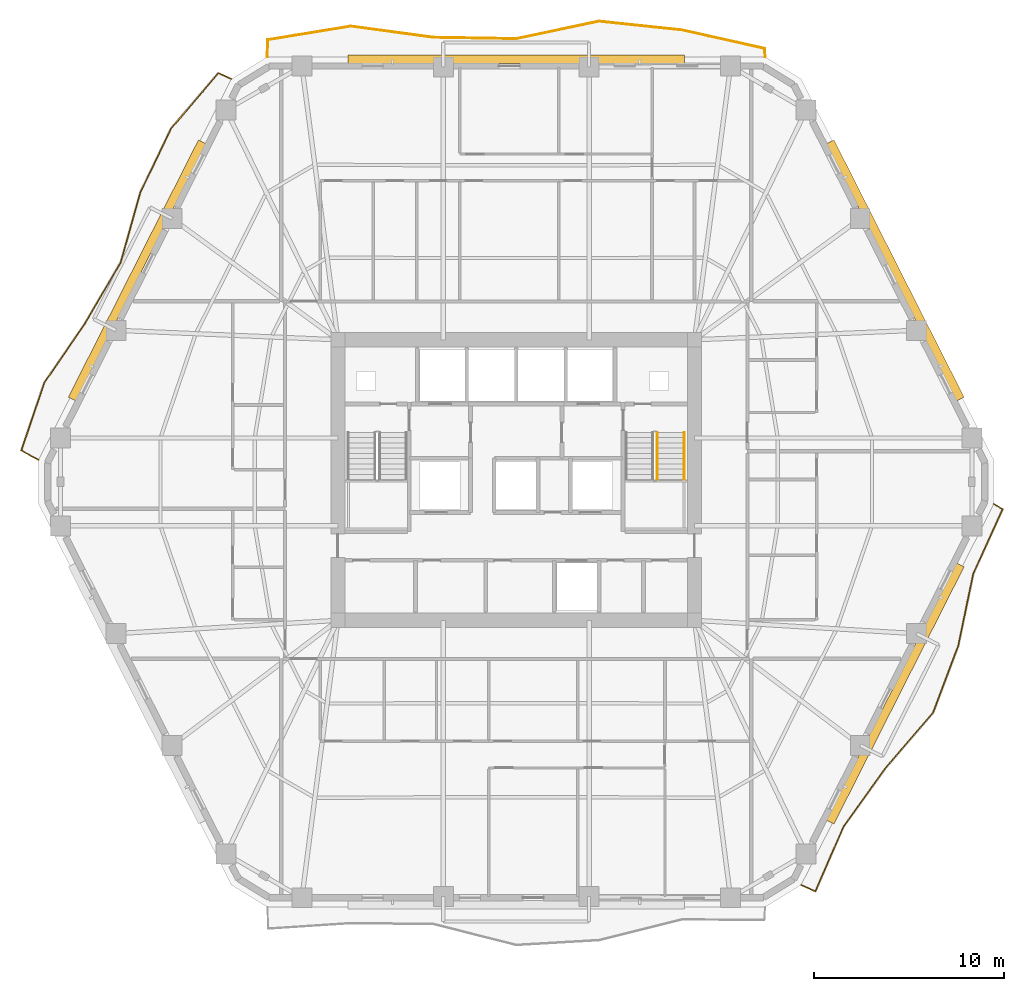
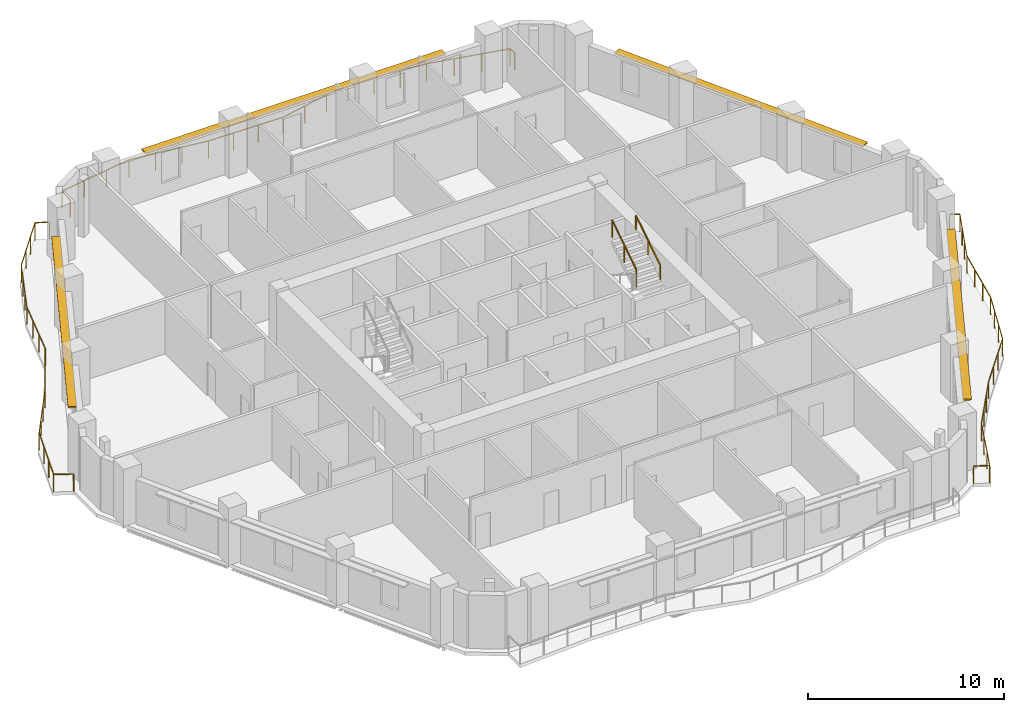
# One storey, part 12 of 12: 5 railings, 4 shading devices.
"""IFC4 building model written with IfcOpenShell, lengths in metres."""

from ifc_helpers import new_model, si_unit, direction, frame, origin, origin_2d, place, context, subcontext, project, spatial, rectangle, extrude, material, layer, layer_set, type_object, element, save


model = new_model("IFC4")

# Units and contexts
model_context = context("Model", 3, precision=1e-05, world=origin(), true_north=direction((0.0, 1.0)))
body_context = subcontext(model_context, "Body", "Model", "MODEL_VIEW")
ifc_project = project(units=[si_unit("LENGTHUNIT", "METRE"), si_unit("AREAUNIT", "SQUARE_METRE"), si_unit("VOLUMEUNIT", "CUBIC_METRE"), si_unit("PLANEANGLEUNIT", "RADIAN"), si_unit("MASSUNIT", "GRAM", prefix="KILO")], contexts=[model_context])

# Site, building, storey
site_placement = place(None, origin())
site = spatial("IfcSite", under=ifc_project, at=site_placement, CompositionType="ELEMENT")
building_placement = place(site_placement, origin())
building = spatial("IfcBuilding", under=site, at=building_placement, Name="Cinnabar Lancet Tower", CompositionType="ELEMENT")
storey_placement = place(building_placement, frame((0.0, 0.0, 141.0)))
storey = spatial("IfcBuildingStorey", under=building, at=storey_placement, Name="L37", CompositionType="ELEMENT", Elevation=141.0)

# Railings
ifc_material_1 = material(Name="Laminated safety glass and bronze stainless steel balustrade", Category="steel")
railing_type_1 = type_object("IfcRailingType", Name="ENV-RLG-BAL-1100", PredefinedType="BALUSTRADE", material=ifc_material_1)
railing_1_placement = place(storey_placement, frame((47.37890625, 4.610107421875, 0.0)))
element("IfcRailing", 1, at=railing_1_placement, inside=storey, type_object=railing_type_1, Name="L37 Face 2 Wave Balcony Balustrade", PredefinedType="BALUSTRADE", context=body_context, shape_type="SweptSolid", body=[
    extrude(rectangle(XDim=0.048095703125, YDim=0.048095703125, at=origin_2d()), frame((0.0, 0.0, 1.076171875), z_axis=(0.909195732356, -0.416368971304, 0.0), x_axis=(0.416368971304, 0.909195732356, 0.0)), (0.0, 0.0, 1.0), 0.82373046875),
    extrude(rectangle(XDim=0.048095703125, YDim=0.048095703125, at=origin_2d()), frame((0.7490234375, -0.343017578125, 1.076171875), z_axis=(0.398437237154, 0.917195599667, 0.0), x_axis=(-0.917195599667, 0.398437237154, 0.0)), (0.0, 0.0, 1.0), 3.739501953125),
    extrude(rectangle(XDim=0.048095703125, YDim=0.048095703125, at=origin_2d()), frame((2.239013671875, 3.0869140625, 1.076171875), z_axis=(0.582577341118, 0.812775271287, 0.0), x_axis=(-0.812775271287, 0.582577341118, 0.0)), (0.0, 0.0, 1.0), 3.774658203125),
    extrude(rectangle(XDim=0.048095703125, YDim=0.048095703125, at=origin_2d()), frame((4.43798828125, 6.15478515625, 1.076171875), z_axis=(0.651894635251, 0.758309557193, 0.0), x_axis=(-0.758309557193, 0.651894635251, 0.0)), (0.0, 0.0, 1.0), 3.8427734375),
    extrude(rectangle(XDim=0.048095703125, YDim=0.048095703125, at=origin_2d()), frame((6.943115234375, 9.06884765625, 1.076171875), z_axis=(0.351757879918, 0.936091017965, 0.0), x_axis=(-0.936091017965, 0.351757879918, 0.0)), (0.0, 0.0, 1.0), 3.752685546875),
    extrude(rectangle(XDim=0.048095703125, YDim=0.048095703125, at=origin_2d()), frame((8.26318359375, 12.581787109375, 1.076171875), z_axis=(0.203681692425, 0.979037163835, 0.0), x_axis=(-0.979037163835, 0.203681692425, 0.0)), (0.0, 0.0, 1.0), 3.86328125),
    extrude(rectangle(XDim=0.048095703125, YDim=0.048095703125, at=origin_2d()), frame((9.050048828125, 16.364013671875, 1.076171875), z_axis=(0.414398635472, 0.910095473519, 0.0), x_axis=(-0.910095473519, 0.414398635472, 0.0)), (0.0, 0.0, 1.0), 3.73583984375),
    extrude(rectangle(XDim=0.048095703125, YDim=0.048095703125, at=origin_2d()), frame((10.59814453125, 19.763916015625, 1.076171875), z_axis=(-0.86770894595, 0.497072615539, 0.0), x_axis=(-0.497072615539, -0.86770894595, 0.0)), (0.0, 0.0, 1.0), 0.534912109375),
    extrude(rectangle(XDim=0.0419921875, YDim=0.0419921875, at=origin_2d()), origin(), (0.0, 0.0, 1.0), 1.052001953125),
    extrude(rectangle(XDim=0.0419921875, YDim=0.0419921875, at=origin_2d()), frame((0.7490234375, -0.343017578125, 0.0)), (0.0, 0.0, 1.0), 1.052001953125),
    extrude(rectangle(XDim=0.0419921875, YDim=0.0419921875, at=origin_2d()), frame((1.24560546875, 0.80029296875, 0.0)), (0.0, 0.0, 1.0), 1.052001953125),
    extrude(rectangle(XDim=0.0419921875, YDim=0.0419921875, at=origin_2d()), frame((1.742431640625, 1.943603515625, 0.0)), (0.0, 0.0, 1.0), 1.052001953125),
    extrude(rectangle(XDim=0.0419921875, YDim=0.0419921875, at=origin_2d()), frame((2.239013671875, 3.0869140625, 0.0)), (0.0, 0.0, 1.0), 1.052001953125),
    extrude(rectangle(XDim=0.0419921875, YDim=0.0419921875, at=origin_2d()), frame((2.971923828125, 4.109619140625, 0.0)), (0.0, 0.0, 1.0), 1.052001953125),
    extrude(rectangle(XDim=0.0419921875, YDim=0.0419921875, at=origin_2d()), frame((3.705078125, 5.132080078125, 0.0)), (0.0, 0.0, 1.0), 1.052001953125),
    extrude(rectangle(XDim=0.0419921875, YDim=0.0419921875, at=origin_2d()), frame((4.43798828125, 6.15478515625, 0.0)), (0.0, 0.0, 1.0), 1.052001953125),
    extrude(rectangle(XDim=0.0419921875, YDim=0.0419921875, at=origin_2d()), frame((5.27294921875, 7.126220703125, 0.0)), (0.0, 0.0, 1.0), 1.052001953125),
    extrude(rectangle(XDim=0.0419921875, YDim=0.0419921875, at=origin_2d()), frame((6.108154296875, 8.097412109375, 0.0)), (0.0, 0.0, 1.0), 1.052001953125),
    extrude(rectangle(XDim=0.0419921875, YDim=0.0419921875, at=origin_2d()), frame((6.943115234375, 9.06884765625, 0.0)), (0.0, 0.0, 1.0), 1.052001953125),
    extrude(rectangle(XDim=0.0419921875, YDim=0.0419921875, at=origin_2d()), frame((7.383056640625, 10.23974609375, 0.0)), (0.0, 0.0, 1.0), 1.052001953125),
    extrude(rectangle(XDim=0.0419921875, YDim=0.0419921875, at=origin_2d()), frame((7.8232421875, 11.410888671875, 0.0)), (0.0, 0.0, 1.0), 1.052001953125),
    extrude(rectangle(XDim=0.0419921875, YDim=0.0419921875, at=origin_2d()), frame((8.26318359375, 12.581787109375, 0.0)), (0.0, 0.0, 1.0), 1.052001953125),
    extrude(rectangle(XDim=0.0419921875, YDim=0.0419921875, at=origin_2d()), frame((8.525390625, 13.842529296875, 0.0)), (0.0, 0.0, 1.0), 1.052001953125),
    extrude(rectangle(XDim=0.0419921875, YDim=0.0419921875, at=origin_2d()), frame((8.787841796875, 15.103271484375, 0.0)), (0.0, 0.0, 1.0), 1.052001953125),
    extrude(rectangle(XDim=0.0419921875, YDim=0.0419921875, at=origin_2d()), frame((9.050048828125, 16.364013671875, 0.0)), (0.0, 0.0, 1.0), 1.052001953125),
    extrude(rectangle(XDim=0.0419921875, YDim=0.0419921875, at=origin_2d()), frame((9.566162109375, 17.497314453125, 0.0)), (0.0, 0.0, 1.0), 1.052001953125),
    extrude(rectangle(XDim=0.0419921875, YDim=0.0419921875, at=origin_2d()), frame((10.08203125, 18.630615234375, 0.0)), (0.0, 0.0, 1.0), 1.052001953125),
    extrude(rectangle(XDim=0.0419921875, YDim=0.0419921875, at=origin_2d()), frame((10.59814453125, 19.763916015625, 0.0)), (0.0, 0.0, 1.0), 1.052001953125),
    extrude(rectangle(XDim=0.0419921875, YDim=0.0419921875, at=origin_2d()), frame((10.134033203125, 20.02978515625, 0.0)), (0.0, 0.0, 1.0), 1.052001953125),
])
railing_2_placement = place(storey_placement, frame((45.491943359375, 48.14990234375, 0.0)))
element("IfcRailing", 2, at=railing_2_placement, inside=storey, type_object=railing_type_1, Name="L37 Face 4 Wave Balcony Balustrade", PredefinedType="BALUSTRADE", context=body_context, shape_type="SweptSolid", body=[
    extrude(rectangle(XDim=0.048095703125, YDim=0.048095703125, at=origin_2d()), frame((0.0, 0.0, 1.076171875), z_axis=(-0.079238666651, 0.996855673459, 0.0), x_axis=(-0.996855673459, -0.079238666651, 0.0)), (0.0, 0.0, 1.0), 0.440673828125),
    extrude(rectangle(XDim=0.048095703125, YDim=0.048095703125, at=origin_2d()), frame((-0.034912109375, 0.439208984375, 1.076171875), z_axis=(-0.975968906895, 0.217909827165, 0.0), x_axis=(-0.217909827165, -0.975968906895, 0.0)), (0.0, 0.0, 1.0), 4.460205078125),
    extrude(rectangle(XDim=0.048095703125, YDim=0.048095703125, at=origin_2d()), frame((-4.387939453125, 1.4111328125, 1.076171875), z_axis=(-0.994484646392, 0.10488225823, 0.0), x_axis=(-0.10488225823, -0.994484646392, 0.0)), (0.0, 0.0, 1.0), 4.376220703125),
    extrude(rectangle(XDim=0.048095703125, YDim=0.048095703125, at=origin_2d()), frame((-8.739990234375, 1.8701171875, 1.076171875), z_axis=(-0.978470507884, -0.206386688525, 0.0), x_axis=(0.206386688525, -0.978470507884, 0.0)), (0.0, 0.0, 1.0), 4.44775390625),
    extrude(rectangle(XDim=0.048095703125, YDim=0.048095703125, at=origin_2d()), frame((-13.092041015625, 0.9521484375, 1.076171875), z_axis=(-0.999870346218, 0.01610250768, 0.0), x_axis=(-0.01610250768, -0.999870346218, 0.0)), (0.0, 0.0, 1.0), 4.351318359375),
    extrude(rectangle(XDim=0.048095703125, YDim=0.048095703125, at=origin_2d()), frame((-17.44287109375, 1.022216796875, 1.076171875), z_axis=(-0.991003192473, 0.133838232612, 0.0), x_axis=(-0.133838232612, -0.991003192473, 0.0)), (0.0, 0.0, 1.0), 4.392578125),
    extrude(rectangle(XDim=0.048095703125, YDim=0.048095703125, at=origin_2d()), frame((-21.7958984375, 1.610107421875, 1.076171875), z_axis=(-0.986779980264, -0.162065636548, 0.0), x_axis=(0.162065636548, -0.986779980264, 0.0)), (0.0, 0.0, 1.0), 4.412353515625),
    extrude(rectangle(XDim=0.048095703125, YDim=0.048095703125, at=origin_2d()), frame((-26.14990234375, 0.89501953125, 1.076171875), z_axis=(-0.037888759651, -0.999281963158, 0.0), x_axis=(0.999281963158, -0.037888759651, 0.0)), (0.0, 0.0, 1.0), 0.895751953125),
    extrude(rectangle(XDim=0.0419921875, YDim=0.0419921875, at=origin_2d()), origin(), (0.0, 0.0, 1.0), 1.052001953125),
    extrude(rectangle(XDim=0.0419921875, YDim=0.0419921875, at=origin_2d()), frame((-0.034912109375, 0.439208984375, 0.0)), (0.0, 0.0, 1.0), 1.052001953125),
    extrude(rectangle(XDim=0.0419921875, YDim=0.0419921875, at=origin_2d()), frame((-1.48583984375, 0.76318359375, 0.0)), (0.0, 0.0, 1.0), 1.052001953125),
    extrude(rectangle(XDim=0.0419921875, YDim=0.0419921875, at=origin_2d()), frame((-2.93701171875, 1.087158203125, 0.0)), (0.0, 0.0, 1.0), 1.052001953125),
    extrude(rectangle(XDim=0.0419921875, YDim=0.0419921875, at=origin_2d()), frame((-4.387939453125, 1.4111328125, 0.0)), (0.0, 0.0, 1.0), 1.052001953125),
    extrude(rectangle(XDim=0.0419921875, YDim=0.0419921875, at=origin_2d()), frame((-5.838623046875, 1.564208984375, 0.0)), (0.0, 0.0, 1.0), 1.052001953125),
    extrude(rectangle(XDim=0.0419921875, YDim=0.0419921875, at=origin_2d()), frame((-7.289306640625, 1.717041015625, 0.0)), (0.0, 0.0, 1.0), 1.052001953125),
    extrude(rectangle(XDim=0.0419921875, YDim=0.0419921875, at=origin_2d()), frame((-8.739990234375, 1.8701171875, 0.0)), (0.0, 0.0, 1.0), 1.052001953125),
    extrude(rectangle(XDim=0.0419921875, YDim=0.0419921875, at=origin_2d()), frame((-10.190673828125, 1.564208984375, 0.0)), (0.0, 0.0, 1.0), 1.052001953125),
    extrude(rectangle(XDim=0.0419921875, YDim=0.0419921875, at=origin_2d()), frame((-11.641357421875, 1.258056640625, 0.0)), (0.0, 0.0, 1.0), 1.052001953125),
    extrude(rectangle(XDim=0.0419921875, YDim=0.0419921875, at=origin_2d()), frame((-13.092041015625, 0.9521484375, 0.0)), (0.0, 0.0, 1.0), 1.052001953125),
    extrude(rectangle(XDim=0.0419921875, YDim=0.0419921875, at=origin_2d()), frame((-14.542236328125, 0.9755859375, 0.0)), (0.0, 0.0, 1.0), 1.052001953125),
    extrude(rectangle(XDim=0.0419921875, YDim=0.0419921875, at=origin_2d()), frame((-15.99267578125, 0.998779296875, 0.0)), (0.0, 0.0, 1.0), 1.052001953125),
    extrude(rectangle(XDim=0.0419921875, YDim=0.0419921875, at=origin_2d()), frame((-17.44287109375, 1.022216796875, 0.0)), (0.0, 0.0, 1.0), 1.052001953125),
    extrude(rectangle(XDim=0.0419921875, YDim=0.0419921875, at=origin_2d()), frame((-18.893798828125, 1.21826171875, 0.0)), (0.0, 0.0, 1.0), 1.052001953125),
    extrude(rectangle(XDim=0.0419921875, YDim=0.0419921875, at=origin_2d()), frame((-20.344970703125, 1.4140625, 0.0)), (0.0, 0.0, 1.0), 1.052001953125),
    extrude(rectangle(XDim=0.0419921875, YDim=0.0419921875, at=origin_2d()), frame((-21.7958984375, 1.610107421875, 0.0)), (0.0, 0.0, 1.0), 1.052001953125),
    extrude(rectangle(XDim=0.0419921875, YDim=0.0419921875, at=origin_2d()), frame((-23.247314453125, 1.371826171875, 0.0)), (0.0, 0.0, 1.0), 1.052001953125),
    extrude(rectangle(XDim=0.0419921875, YDim=0.0419921875, at=origin_2d()), frame((-24.698486328125, 1.13330078125, 0.0)), (0.0, 0.0, 1.0), 1.052001953125),
    extrude(rectangle(XDim=0.0419921875, YDim=0.0419921875, at=origin_2d()), frame((-26.14990234375, 0.89501953125, 0.0)), (0.0, 0.0, 1.0), 1.052001953125),
    extrude(rectangle(XDim=0.0419921875, YDim=0.0419921875, at=origin_2d()), frame((-26.183837890625, 0.0, 0.0)), (0.0, 0.0, 1.0), 1.052001953125),
])
railing_3_placement = place(storey_placement, frame((17.4208984375, 46.989990234375, 0.0)))
element("IfcRailing", 3, at=railing_3_placement, inside=storey, type_object=railing_type_1, Name="L37 Face 5 Wave Balcony Balustrade", PredefinedType="BALUSTRADE", context=body_context, shape_type="SweptSolid", body=[
    extrude(rectangle(XDim=0.048095703125, YDim=0.048095703125, at=origin_2d()), frame((0.0, 0.0, 1.076171875), z_axis=(-0.911116710609, 0.412148443706, 0.0), x_axis=(-0.412148443706, -0.911116710609, 0.0)), (0.0, 0.0, 1.0), 0.7451171875),
    extrude(rectangle(XDim=0.048095703125, YDim=0.048095703125, at=origin_2d()), frame((-0.678955078125, 0.30712890625, 1.076171875), z_axis=(-0.648856734632, -0.760910597851, 0.0), x_axis=(0.760910597851, -0.648856734632, 0.0)), (0.0, 0.0, 1.0), 3.839111328125),
    extrude(rectangle(XDim=0.048095703125, YDim=0.048095703125, at=origin_2d()), frame((-3.169921875, -2.614013671875, 1.076171875), z_axis=(-0.433426218721, -0.901189055041, 0.0), x_axis=(0.901189055041, -0.433426218721, 0.0)), (0.0, 0.0, 1.0), 3.73291015625),
    extrude(rectangle(XDim=0.048095703125, YDim=0.048095703125, at=origin_2d()), frame((-4.787841796875, -5.97802734375, 1.076171875), z_axis=(-0.270063253888, -0.962842582616, 0.0), x_axis=(0.962842582616, -0.270063253888, 0.0)), (0.0, 0.0, 1.0), 3.80322265625),
    extrude(rectangle(XDim=0.048095703125, YDim=0.048095703125, at=origin_2d()), frame((-5.81494140625, -9.639892578125, 1.076171875), z_axis=(-0.503992904391, -0.863707793367, 0.0), x_axis=(0.863707793367, -0.503992904391, 0.0)), (0.0, 0.0, 1.0), 3.736328125),
    extrude(rectangle(XDim=0.048095703125, YDim=0.048095703125, at=origin_2d()), frame((-7.697998046875, -12.866943359375, 1.076171875), z_axis=(-0.566259076884, -0.824227309573, 0.0), x_axis=(0.824227309573, -0.566259076884, 0.0)), (0.0, 0.0, 1.0), 3.764892578125),
    extrude(rectangle(XDim=0.048095703125, YDim=0.048095703125, at=origin_2d()), frame((-9.829833984375, -15.969970703125, 1.076171875), z_axis=(-0.321274566624, -0.946986089043, 0.0), x_axis=(0.946986089043, -0.321274566624, 0.0)), (0.0, 0.0, 1.0), 3.77001953125),
    extrude(rectangle(XDim=0.048095703125, YDim=0.048095703125, at=origin_2d()), frame((-11.041015625, -19.5400390625, 1.076171875), z_axis=(0.87986975738, -0.475214909328, 0.0), x_axis=(0.475214909328, 0.87986975738, 0.0)), (0.0, 0.0, 1.0), 1.031005859375),
    extrude(rectangle(XDim=0.0419921875, YDim=0.0419921875, at=origin_2d()), origin(), (0.0, 0.0, 1.0), 1.052001953125),
    extrude(rectangle(XDim=0.0419921875, YDim=0.0419921875, at=origin_2d()), frame((-0.678955078125, 0.30712890625, 0.0)), (0.0, 0.0, 1.0), 1.052001953125),
    extrude(rectangle(XDim=0.0419921875, YDim=0.0419921875, at=origin_2d()), frame((-1.50927734375, -0.66650390625, 0.0)), (0.0, 0.0, 1.0), 1.052001953125),
    extrude(rectangle(XDim=0.0419921875, YDim=0.0419921875, at=origin_2d()), frame((-2.339599609375, -1.640380859375, 0.0)), (0.0, 0.0, 1.0), 1.052001953125),
    extrude(rectangle(XDim=0.0419921875, YDim=0.0419921875, at=origin_2d()), frame((-3.169921875, -2.614013671875, 0.0)), (0.0, 0.0, 1.0), 1.052001953125),
    extrude(rectangle(XDim=0.0419921875, YDim=0.0419921875, at=origin_2d()), frame((-3.709228515625, -3.7353515625, 0.0)), (0.0, 0.0, 1.0), 1.052001953125),
    extrude(rectangle(XDim=0.0419921875, YDim=0.0419921875, at=origin_2d()), frame((-4.24853515625, -4.856689453125, 0.0)), (0.0, 0.0, 1.0), 1.052001953125),
    extrude(rectangle(XDim=0.0419921875, YDim=0.0419921875, at=origin_2d()), frame((-4.787841796875, -5.97802734375, 0.0)), (0.0, 0.0, 1.0), 1.052001953125),
    extrude(rectangle(XDim=0.0419921875, YDim=0.0419921875, at=origin_2d()), frame((-5.130126953125, -7.19873046875, 0.0)), (0.0, 0.0, 1.0), 1.052001953125),
    extrude(rectangle(XDim=0.0419921875, YDim=0.0419921875, at=origin_2d()), frame((-5.47265625, -8.419189453125, 0.0)), (0.0, 0.0, 1.0), 1.052001953125),
    extrude(rectangle(XDim=0.0419921875, YDim=0.0419921875, at=origin_2d()), frame((-5.81494140625, -9.639892578125, 0.0)), (0.0, 0.0, 1.0), 1.052001953125),
    extrude(rectangle(XDim=0.0419921875, YDim=0.0419921875, at=origin_2d()), frame((-6.442626953125, -10.715576171875, 0.0)), (0.0, 0.0, 1.0), 1.052001953125),
    extrude(rectangle(XDim=0.0419921875, YDim=0.0419921875, at=origin_2d()), frame((-7.0703125, -11.791259765625, 0.0)), (0.0, 0.0, 1.0), 1.052001953125),
    extrude(rectangle(XDim=0.0419921875, YDim=0.0419921875, at=origin_2d()), frame((-7.697998046875, -12.866943359375, 0.0)), (0.0, 0.0, 1.0), 1.052001953125),
    extrude(rectangle(XDim=0.0419921875, YDim=0.0419921875, at=origin_2d()), frame((-8.40869140625, -13.9013671875, 0.0)), (0.0, 0.0, 1.0), 1.052001953125),
    extrude(rectangle(XDim=0.0419921875, YDim=0.0419921875, at=origin_2d()), frame((-9.119140625, -14.935546875, 0.0)), (0.0, 0.0, 1.0), 1.052001953125),
    extrude(rectangle(XDim=0.0419921875, YDim=0.0419921875, at=origin_2d()), frame((-9.829833984375, -15.969970703125, 0.0)), (0.0, 0.0, 1.0), 1.052001953125),
    extrude(rectangle(XDim=0.0419921875, YDim=0.0419921875, at=origin_2d()), frame((-10.233642578125, -17.159912109375, 0.0)), (0.0, 0.0, 1.0), 1.052001953125),
    extrude(rectangle(XDim=0.0419921875, YDim=0.0419921875, at=origin_2d()), frame((-10.63720703125, -18.35009765625, 0.0)), (0.0, 0.0, 1.0), 1.052001953125),
    extrude(rectangle(XDim=0.0419921875, YDim=0.0419921875, at=origin_2d()), frame((-11.041015625, -19.5400390625, 0.0)), (0.0, 0.0, 1.0), 1.052001953125),
    extrude(rectangle(XDim=0.0419921875, YDim=0.0419921875, at=origin_2d()), frame((-10.1337890625, -20.030029296875, 0.0)), (0.0, 0.0, 1.0), 1.052001953125),
])

# Shading devices
ifc_material_2 = material(Name="Pale limestone architectural aluminium sunshade", Category="masonry")
ifc_layer = layer(ifc_material_2, 0.080078125)
ifc_layer_set = layer_set([ifc_layer], Name="Pale limestone architectural aluminium sunshade")
shading_device_type = type_object("IfcShadingDeviceType", Name="ENV-SHD-LVR-450", PredefinedType="JALOUSIE", material=ifc_layer_set)
for number, where, z_axis, x_axis, name in (
    (4, (52.327880859375, 14.680908203125, 2.639892578125), (0.0, 0.0, 1.0), (0.451453853408, 0.892294468347, 0.0), "L37 Face 2 Horizontal Sunshade Canopy"),
    (5, (52.327880859375, 36.9189453125, 2.639892578125), (0.0, 0.0, 1.0), (-0.451453853408, 0.892294468347, 0.0), "L37 Face 3 Horizontal Sunshade Canopy"),
):
    element("IfcShadingDevice", number, at=place(storey_placement, frame(where, z_axis=z_axis, x_axis=x_axis)), inside=storey, type_object=shading_device_type, Name=name, PredefinedType="JALOUSIE", context=body_context, shape_type="SweptSolid", body=[
        extrude(rectangle(XDim=15.156982421875, YDim=0.449951171875, at=origin_2d()), origin(), (0.0, 0.0, 1.0), 0.080078125),
    ])
shading_device_1_placement = place(storey_placement, frame((32.39990234375, 48.02001953125, 2.639892578125), z_axis=(0.0, 0.0, 1.0), x_axis=(-1.0, 0.0, 0.0)))
element("IfcShadingDevice", 6, at=shading_device_1_placement, inside=storey, type_object=shading_device_type, Name="L37 Face 4 Horizontal Sunshade Canopy", PredefinedType="JALOUSIE", context=body_context, shape_type="SweptSolid", body=[
    extrude(rectangle(XDim=17.68310546875, YDim=0.449951171875, at=origin_2d()), origin(), (0.0, 0.0, 1.0), 0.080078125),
])
shading_device_2_placement = place(storey_placement, frame((12.471923828125, 36.9189453125, 2.639892578125), z_axis=(0.0, 0.0, 1.0), x_axis=(-0.451453853408, -0.892294468347, 0.0)))
element("IfcShadingDevice", 7, at=shading_device_2_placement, inside=storey, type_object=shading_device_type, Name="L37 Face 5 Horizontal Sunshade Canopy", PredefinedType="JALOUSIE", context=body_context, shape_type="SweptSolid", body=[
    extrude(rectangle(XDim=15.156982421875, YDim=0.449951171875, at=origin_2d()), origin(), (0.0, 0.0, 1.0), 0.080078125),
])

# Railings
ifc_material_3 = material(Name="Painted galvanized steel balustrade", Category="steel")
railing_type_2 = type_object("IfcRailingType", Name="GUARD-STAIR", PredefinedType="GUARDRAIL", material=ifc_material_3)
railing_4_placement = place(storey_placement, frame((39.824951171875, 25.925048828125, 1.952392578125)))
element("IfcRailing", 8, at=railing_4_placement, inside=storey, type_object=railing_type_2, Name="L37 ST-2 stair guard 3", PredefinedType="GUARDRAIL", context=body_context, shape_type="SweptSolid", body=[
    extrude(rectangle(XDim=0.048095703125, YDim=0.048095703125, at=origin_2d()), frame((0.0, 0.0, 1.076171875), z_axis=(0.0, 0.84014559416, 0.542360932049), x_axis=(-1.0, 0.0, 0.0)), (0.0, 0.0, 1.0), 2.94580078125),
    extrude(rectangle(XDim=0.0419921875, YDim=0.0419921875, at=origin_2d()), origin(), (0.0, 0.0, 1.0), 1.052001953125),
    extrude(rectangle(XDim=0.0419921875, YDim=0.0419921875, at=origin_2d()), frame((0.0, 1.2373046875, 0.798828125)), (0.0, 0.0, 1.0), 1.052001953125),
    extrude(rectangle(XDim=0.0419921875, YDim=0.0419921875, at=origin_2d()), frame((0.0, 2.474853515625, 1.59765625)), (0.0, 0.0, 1.0), 1.052001953125),
])
ifc_material_4 = material(Name="Brushed stainless steel handrail", Category="steel")
railing_type_3 = type_object("IfcRailingType", Name="HANDRAIL-STAIR", PredefinedType="HANDRAIL", material=ifc_material_4)
railing_5_placement = place(storey_placement, frame((41.22509765625, 25.925048828125, 1.952392578125)))
element("IfcRailing", 9, at=railing_5_placement, inside=storey, type_object=railing_type_3, Name="L37 ST-2 stair handrail 2", PredefinedType="HANDRAIL", context=body_context, shape_type="SweptSolid", body=[
    extrude(rectangle(XDim=0.048095703125, YDim=0.048095703125, at=origin_2d()), frame((0.0, 0.0, 0.8759765625), z_axis=(0.0, 0.84014559416, 0.542360932049), x_axis=(-1.0, 0.0, 0.0)), (0.0, 0.0, 1.0), 2.94580078125),
    extrude(rectangle(XDim=0.0419921875, YDim=0.0419921875, at=origin_2d()), origin(), (0.0, 0.0, 1.0), 0.851806640625),
    extrude(rectangle(XDim=0.0419921875, YDim=0.0419921875, at=origin_2d()), frame((0.0, 1.2373046875, 0.798828125)), (0.0, 0.0, 1.0), 0.851806640625),
    extrude(rectangle(XDim=0.0419921875, YDim=0.0419921875, at=origin_2d()), frame((0.0, 2.474853515625, 1.59765625)), (0.0, 0.0, 1.0), 0.851806640625),
])

save(model, "model.ifc")
